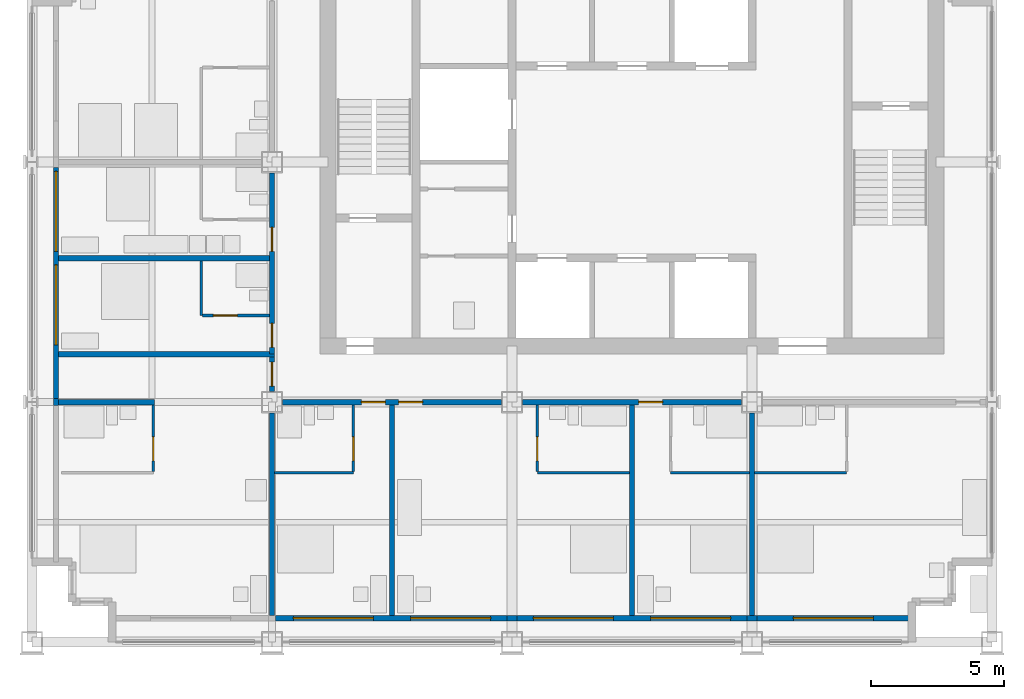
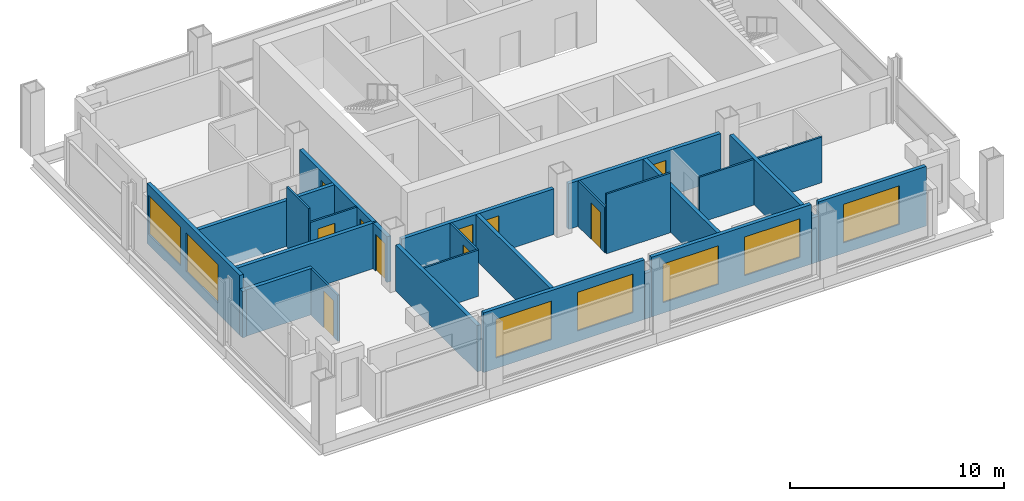
# One storey, part 6 of 12: 27 walls, 10 doors, 7 windows, 17 openings.
"""IFC4 building model written with IfcOpenShell, lengths in metres."""

from ifc_helpers import new_model, si_unit, direction, frame, frame_2d, origin, place, context, subcontext, project, spatial, rectangle, extrude, material, layer, layer_set, type_object, element, fill, save


model = new_model("IFC4")

# Units and contexts
model_context = context("Model", 3, precision=1e-05, world=origin(), true_north=direction((0.0, 1.0)))
body_context = subcontext(model_context, "Body", "Model", "MODEL_VIEW")
ifc_project = project(units=[si_unit("LENGTHUNIT", "METRE"), si_unit("AREAUNIT", "SQUARE_METRE"), si_unit("VOLUMEUNIT", "CUBIC_METRE"), si_unit("PLANEANGLEUNIT", "RADIAN"), si_unit("MASSUNIT", "GRAM", prefix="KILO")], contexts=[model_context])

# Site, building, storey
site_placement = place(None, origin())
site = spatial("IfcSite", under=ifc_project, at=site_placement, CompositionType="ELEMENT")
building_placement = place(site_placement, origin())
building = spatial("IfcBuilding", under=site, at=building_placement, Name="Loomwork Tower", CompositionType="ELEMENT")
storey_placement = place(building_placement, frame((0.0, 0.0, 233.800048828125)))
storey = spatial("IfcBuildingStorey", under=building, at=storey_placement, Name="L64", CompositionType="ELEMENT", Elevation=233.800048828125)

# Wall
ifc_material_1 = material(Name="Gypsum board on steel studs, one-hour", Category="steel")
ifc_layer_1 = layer(ifc_material_1, 0.199951171875)
ifc_layer_set_1 = layer_set([ifc_layer_1], Name="Corridor wall 200")
wall_type_1 = type_object("IfcWallType", Name="Corridor wall 200", PredefinedType="PARTITIONING", material=ifc_layer_set_1)
wall_1_placement = place(storey_placement, frame((1.0, 9.0, 0.0), z_axis=(0.0, 0.0, 1.0), x_axis=(1.0, 0.0, 0.0)))
element("IfcWall", 1, at=wall_1_placement, inside=storey, type_object=wall_type_1, Name="South corridor wall 1", PredefinedType="PARTITIONING", context=body_context, shape_type="SweptSolid", body=[
    extrude(rectangle(XDim=3.60009765625, YDim=0.199951171875, at=frame_2d((1.800048828125, 0.0))), origin(), (0.0, 0.0, 1.0), 2.637939453125),
])

# Wall, openings, doors
wall_2_placement = place(storey_placement, frame((9.39990234375, 9.0, 0.0), z_axis=(0.0, 0.0, 1.0), x_axis=(1.0, 0.0, 0.0)))
wall_2 = element("IfcWall", 2, at=wall_2_placement, inside=storey, type_object=wall_type_1, Name="South corridor wall 2", PredefinedType="PARTITIONING", context=body_context, shape_type="SweptSolid", body=[
    extrude(rectangle(XDim=8.2001953125, YDim=0.199951171875, at=frame_2d((4.10009765625, 0.0))), origin(), (0.0, 0.0, 1.0), 2.60498046875),
])
opening_1_placement = place(wall_2_placement, frame((2.949951171875, 0.0, 0.0)))
opening_1 = element("IfcOpeningElement", 3, at=opening_1_placement, cuts=wall_2, Name="Opening D1", PredefinedType="OPENING", context=body_context, shape_type="SweptSolid", body=[
    extrude(rectangle(XDim=0.89990234375, YDim=2.10009765625, at=frame_2d((0.449951171875, 1.050048828125))), frame((0.0, 0.10986328125, 0.0), z_axis=(0.0, -1.0, 0.0), x_axis=(1.0, 0.0, 0.0)), (0.0, 0.0, 1.0), 0.219970703125),
])
opening_2_placement = place(wall_2_placement, frame((4.35009765625, 0.0, 0.0)))
opening_2 = element("IfcOpeningElement", 4, at=opening_2_placement, cuts=wall_2, Name="Opening D1", PredefinedType="OPENING", context=body_context, shape_type="SweptSolid", body=[
    extrude(rectangle(XDim=0.89990234375, YDim=2.10009765625, at=frame_2d((0.449951171875, 1.050048828125))), frame((0.0, 0.10986328125, 0.0), z_axis=(0.0, -1.0, 0.0), x_axis=(1.0, 0.0, 0.0)), (0.0, 0.0, 1.0), 0.219970703125),
])
ifc_material_2 = material(Name="Hollow metal door and frame")
door_type_1 = type_object("IfcDoorType", Name="Guest room entry door 900", OperationType="SINGLE_SWING_LEFT", PredefinedType="DOOR", material=ifc_material_2)
door_1_placement = place(opening_1_placement, frame((0.89990234375, 0.0, 0.0), z_axis=(0.0, 0.0, 1.0), x_axis=(-1.0, 0.0, 0.0)))
door_1 = element("IfcDoor", 5, at=door_1_placement, inside=storey, type_object=door_type_1, Name="Guest room entry door L64 2", OperationType="SINGLE_SWING_LEFT", OverallHeight=2.10009765625, OverallWidth=0.89990234375, PredefinedType="DOOR", context=body_context, shape_type="SweptSolid", body=[
    extrude(rectangle(XDim=0.89990234375, YDim=2.10009765625, at=frame_2d((0.449951171875, 1.050048828125))), frame((0.0, 0.02490234375, 0.0), z_axis=(0.0, -1.0, 0.0), x_axis=(1.0, 0.0, 0.0)), (0.0, 0.0, 1.0), 0.050048828125),
])
fill(opening_1, door_1)
door_2_placement = place(opening_2_placement, frame((0.89990234375, 0.0, 0.0), z_axis=(0.0, 0.0, 1.0), x_axis=(-1.0, 0.0, 0.0)))
door_2 = element("IfcDoor", 6, at=door_2_placement, inside=storey, type_object=door_type_1, Name="Guest room entry door L64 3", OperationType="SINGLE_SWING_RIGHT", OverallHeight=2.10009765625, OverallWidth=0.89990234375, PredefinedType="DOOR", context=body_context, shape_type="SweptSolid", body=[
    extrude(rectangle(XDim=0.89990234375, YDim=2.10009765625, at=frame_2d((0.449951171875, 1.050048828125))), frame((0.0, 0.02490234375, 0.0), z_axis=(0.0, -1.0, 0.0), x_axis=(1.0, 0.0, 0.0)), (0.0, 0.0, 1.0), 0.050048828125),
])
fill(opening_2, door_2)

# Wall, opening, door
wall_3_placement = place(storey_placement, frame((18.39990234375, 9.0, 0.0), z_axis=(0.0, 0.0, 1.0), x_axis=(1.0, 0.0, 0.0)))
wall_3 = element("IfcWall", 7, at=wall_3_placement, inside=storey, type_object=wall_type_1, Name="South corridor wall 3", PredefinedType="PARTITIONING", context=body_context, shape_type="SweptSolid", body=[
    extrude(rectangle(XDim=8.2001953125, YDim=0.199951171875, at=frame_2d((4.10009765625, 0.0))), origin(), (0.0, 0.0, 1.0), 2.60498046875),
])
opening_3_placement = place(wall_3_placement, frame((4.35009765625, 0.0, 0.0)))
opening_3 = element("IfcOpeningElement", 8, at=opening_3_placement, cuts=wall_3, Name="Opening D1", PredefinedType="OPENING", context=body_context, shape_type="SweptSolid", body=[
    extrude(rectangle(XDim=0.89990234375, YDim=2.10009765625, at=frame_2d((0.449951171875, 1.050048828125))), frame((0.0, 0.10986328125, 0.0), z_axis=(0.0, -1.0, 0.0), x_axis=(1.0, 0.0, 0.0)), (0.0, 0.0, 1.0), 0.219970703125),
])
door_3_placement = place(opening_3_placement, frame((0.89990234375, 0.0, 0.0), z_axis=(0.0, 0.0, 1.0), x_axis=(-1.0, 0.0, 0.0)))
door_3 = element("IfcDoor", 9, at=door_3_placement, inside=storey, type_object=door_type_1, Name="Guest room entry door L64 4", OperationType="SINGLE_SWING_RIGHT", OverallHeight=2.10009765625, OverallWidth=0.89990234375, PredefinedType="DOOR", context=body_context, shape_type="SweptSolid", body=[
    extrude(rectangle(XDim=0.89990234375, YDim=2.10009765625, at=frame_2d((0.449951171875, 1.050048828125))), frame((0.0, 0.02490234375, 0.0), z_axis=(0.0, -1.0, 0.0), x_axis=(1.0, 0.0, 0.0)), (0.0, 0.0, 1.0), 0.050048828125),
])
fill(opening_3, door_3)

# Wall, openings, doors
wall_4_placement = place(storey_placement, frame((9.0, 10.800048828125, 0.0), z_axis=(0.0, 0.0, 1.0), x_axis=(0.0, 1.0, 0.0)))
wall_4 = element("IfcWall", 10, at=wall_4_placement, inside=storey, type_object=wall_type_1, Name="West corridor wall 1", PredefinedType="PARTITIONING", context=body_context, shape_type="SweptSolid", body=[
    extrude(rectangle(XDim=6.800048828125, YDim=0.199951171875, at=frame_2d((3.39990234375, 0.0))), origin(), (0.0, 0.0, 1.0), 2.60498046875),
])
opening_4_placement = place(wall_4_placement, frame((0.25, 0.0, 0.0)))
opening_4 = element("IfcOpeningElement", 11, at=opening_4_placement, cuts=wall_4, Name="Opening D1", PredefinedType="OPENING", context=body_context, shape_type="SweptSolid", body=[
    extrude(rectangle(XDim=0.89990234375, YDim=2.10009765625, at=frame_2d((0.449951171875, 1.050048828125))), frame((0.0, 0.10986328125, 0.0), z_axis=(0.0, -1.0, 0.0), x_axis=(1.0, 0.0, 0.0)), (0.0, 0.0, 1.0), 0.219970703125),
])
opening_5_placement = place(wall_4_placement, frame((3.85009765625, 0.0, 0.0)))
opening_5 = element("IfcOpeningElement", 12, at=opening_5_placement, cuts=wall_4, Name="Opening D1", PredefinedType="OPENING", context=body_context, shape_type="SweptSolid", body=[
    extrude(rectangle(XDim=0.89990234375, YDim=2.10009765625, at=frame_2d((0.449951171875, 1.050048828125))), frame((0.0, 0.10986328125, 0.0), z_axis=(0.0, -1.0, 0.0), x_axis=(1.0, 0.0, 0.0)), (0.0, 0.0, 1.0), 0.219970703125),
])
door_4_placement = place(opening_4_placement, origin())
door_4 = element("IfcDoor", 13, at=door_4_placement, inside=storey, type_object=door_type_1, Name="Guest room entry door L64 6", OperationType="SINGLE_SWING_LEFT", OverallHeight=2.10009765625, OverallWidth=0.89990234375, PredefinedType="DOOR", context=body_context, shape_type="SweptSolid", body=[
    extrude(rectangle(XDim=0.89990234375, YDim=2.10009765625, at=frame_2d((0.449951171875, 1.050048828125))), frame((0.0, 0.02490234375, 0.0), z_axis=(0.0, -1.0, 0.0), x_axis=(1.0, 0.0, 0.0)), (0.0, 0.0, 1.0), 0.050048828125),
])
fill(opening_4, door_4)
door_5_placement = place(opening_5_placement, origin())
door_5 = element("IfcDoor", 14, at=door_5_placement, inside=storey, type_object=door_type_1, Name="Guest room entry door L64 7", OperationType="SINGLE_SWING_LEFT", OverallHeight=2.10009765625, OverallWidth=0.89990234375, PredefinedType="DOOR", context=body_context, shape_type="SweptSolid", body=[
    extrude(rectangle(XDim=0.89990234375, YDim=2.10009765625, at=frame_2d((0.449951171875, 1.050048828125))), frame((0.0, 0.02490234375, 0.0), z_axis=(0.0, -1.0, 0.0), x_axis=(1.0, 0.0, 0.0)), (0.0, 0.0, 1.0), 0.050048828125),
])
fill(opening_5, door_5)

# Wall
wall_5_placement = place(storey_placement, frame((1.0, 10.800048828125, 0.0), z_axis=(0.0, 0.0, 1.0), x_axis=(1.0, 0.0, 0.0)))
element("IfcWall", 15, at=wall_5_placement, inside=storey, type_object=wall_type_1, Name="West band end wall S", PredefinedType="PARTITIONING", context=body_context, shape_type="SweptSolid", body=[
    extrude(rectangle(XDim=8.10009765625, YDim=0.199951171875, at=frame_2d((4.050048828125, 0.0))), origin(), (0.0, 0.0, 1.0), 2.60400390625),
])

# Wall, opening, door
wall_6_placement = place(storey_placement, frame((9.0, 9.39990234375, 0.0), z_axis=(0.0, 0.0, 1.0), x_axis=(0.0, 1.0, 0.0)))
wall_6 = element("IfcWall", 16, at=wall_6_placement, inside=storey, type_object=wall_type_1, Name="Corner suite foyer wall", PredefinedType="PARTITIONING", context=body_context, shape_type="SweptSolid", body=[
    extrude(rectangle(XDim=1.300048828125, YDim=0.199951171875, at=frame_2d((0.64990234375, 0.0))), origin(), (0.0, 0.0, 1.0), 2.60498046875),
])
opening_6_placement = place(wall_6_placement, frame((0.199951171875, 0.0, 0.0)))
opening_6 = element("IfcOpeningElement", 17, at=opening_6_placement, cuts=wall_6, Name="Opening D1", PredefinedType="OPENING", context=body_context, shape_type="SweptSolid", body=[
    extrude(rectangle(XDim=0.89990234375, YDim=2.10009765625, at=frame_2d((0.449951171875, 1.050048828125))), frame((0.0, 0.10986328125, 0.0), z_axis=(0.0, -1.0, 0.0), x_axis=(1.0, 0.0, 0.0)), (0.0, 0.0, 1.0), 0.219970703125),
])
door_6_placement = place(opening_6_placement, origin())
door_6 = element("IfcDoor", 18, at=door_6_placement, inside=storey, type_object=door_type_1, Name="Guest room entry door L64 1", OperationType="SINGLE_SWING_RIGHT", OverallHeight=2.10009765625, OverallWidth=0.89990234375, PredefinedType="DOOR", context=body_context, shape_type="SweptSolid", body=[
    extrude(rectangle(XDim=0.89990234375, YDim=2.10009765625, at=frame_2d((0.449951171875, 1.050048828125))), frame((0.0, 0.02490234375, 0.0), z_axis=(0.0, -1.0, 0.0), x_axis=(1.0, 0.0, 0.0)), (0.0, 0.0, 1.0), 0.050048828125),
])
fill(opening_6, door_6)

ifc_material_3 = material(Name="Cement board on steel studs", Category="steel")
ifc_layer_2 = layer(ifc_material_3, 0.10009765625)
ifc_layer_set_2 = layer_set([ifc_layer_2], Name="En-suite partition 100")
wall_type_2 = type_object("IfcWallType", Name="En-suite partition 100", PredefinedType="PARTITIONING", material=ifc_layer_set_2)
wall_7_placement = place(storey_placement, frame((4.550048828125, 8.89990234375, 0.0), z_axis=(0.0, 0.0, 1.0), x_axis=(0.0, -1.0, 0.0)))
wall_7 = element("IfcWall", 19, at=wall_7_placement, inside=storey, type_object=wall_type_2, Name="En-suite side wall L64 room 1", PredefinedType="PARTITIONING", context=body_context, shape_type="SweptSolid", body=[
    extrude(rectangle(XDim=2.5, YDim=0.10009765625, at=frame_2d((1.25, 0.0))), origin(), (0.0, 0.0, 1.0), 2.637939453125),
])
opening_7_placement = place(wall_7_placement, frame((1.199951171875, 0.0, 0.0)))
opening_7 = element("IfcOpeningElement", 20, at=opening_7_placement, cuts=wall_7, Name="Opening D3", PredefinedType="OPENING", context=body_context, shape_type="SweptSolid", body=[
    extrude(rectangle(XDim=0.89990234375, YDim=2.10009765625, at=frame_2d((0.449951171875, 1.050048828125))), frame((0.0, 0.06005859375, 0.0), z_axis=(0.0, -1.0, 0.0), x_axis=(1.0, 0.0, 0.0)), (0.0, 0.0, 1.0), 0.1201171875),
])
ifc_material_4 = material(Name="Hollow metal door and frame")
door_type_2 = type_object("IfcDoorType", Name="Accessible en-suite door 900", OperationType="SLIDING_TO_LEFT", PredefinedType="DOOR", material=ifc_material_4)
door_7_placement = place(opening_7_placement, origin())
door_7 = element("IfcDoor", 21, at=door_7_placement, inside=storey, type_object=door_type_2, Name="Accessible en-suite door room 1", OperationType="SLIDING_TO_LEFT", OverallHeight=2.10009765625, OverallWidth=0.89990234375, PredefinedType="DOOR", context=body_context, shape_type="SweptSolid", body=[
    extrude(rectangle(XDim=0.89990234375, YDim=2.10009765625, at=frame_2d((0.449951171875, 1.050048828125))), frame((0.0, 0.02490234375, 0.0), z_axis=(0.0, -1.0, 0.0), x_axis=(1.0, 0.0, 0.0)), (0.0, 0.0, 1.0), 0.050048828125),
])
fill(opening_7, door_7)

# Wall
wall_8_placement = place(storey_placement, frame((9.10009765625, 6.35009765625, 0.0), z_axis=(0.0, 0.0, 1.0), x_axis=(1.0, 0.0, 0.0)))
element("IfcWall", 22, at=wall_8_placement, inside=storey, type_object=wall_type_2, Name="En-suite wall L64 room 2", PredefinedType="PARTITIONING", context=body_context, shape_type="SweptSolid", body=[
    extrude(rectangle(XDim=2.949951171875, YDim=0.10009765625, at=frame_2d((1.47509765625, 0.0))), origin(), (0.0, 0.0, 1.0), 2.637939453125),
])

# Wall, opening, door
wall_9_placement = place(storey_placement, frame((12.050048828125, 8.89990234375, 0.0), z_axis=(0.0, 0.0, 1.0), x_axis=(0.0, -1.0, 0.0)))
wall_9 = element("IfcWall", 23, at=wall_9_placement, inside=storey, type_object=wall_type_2, Name="En-suite side wall L64 room 2", PredefinedType="PARTITIONING", context=body_context, shape_type="SweptSolid", body=[
    extrude(rectangle(XDim=2.5, YDim=0.10009765625, at=frame_2d((1.25, 0.0))), origin(), (0.0, 0.0, 1.0), 2.60400390625),
])
opening_8_placement = place(wall_9_placement, frame((1.199951171875, 0.0, 0.0)))
opening_8 = element("IfcOpeningElement", 24, at=opening_8_placement, cuts=wall_9, Name="Opening D2", PredefinedType="OPENING", context=body_context, shape_type="SweptSolid", body=[
    extrude(rectangle(XDim=0.89990234375, YDim=2.10009765625, at=frame_2d((0.449951171875, 1.050048828125))), frame((0.0, 0.06005859375, 0.0), z_axis=(0.0, -1.0, 0.0), x_axis=(1.0, 0.0, 0.0)), (0.0, 0.0, 1.0), 0.1201171875),
])
ifc_material_5 = material(Name="Hollow metal door and frame")
door_type_3 = type_object("IfcDoorType", Name="En-suite door 900", OperationType="SINGLE_SWING_LEFT", PredefinedType="DOOR", material=ifc_material_5)
door_8_placement = place(opening_8_placement, frame((0.89990234375, 0.0, 0.0), z_axis=(0.0, 0.0, 1.0), x_axis=(-1.0, 0.0, 0.0)))
door_8 = element("IfcDoor", 25, at=door_8_placement, inside=storey, type_object=door_type_3, Name="En-suite door room 2", OperationType="SINGLE_SWING_LEFT", OverallHeight=2.10009765625, OverallWidth=0.89990234375, PredefinedType="DOOR", context=body_context, shape_type="SweptSolid", body=[
    extrude(rectangle(XDim=0.89990234375, YDim=2.10009765625, at=frame_2d((0.449951171875, 1.050048828125))), frame((0.0, 0.02490234375, 0.0), z_axis=(0.0, -1.0, 0.0), x_axis=(1.0, 0.0, 0.0)), (0.0, 0.0, 1.0), 0.050048828125),
])
fill(opening_8, door_8)

# Wall
wall_10_placement = place(storey_placement, frame((18.949951171875, 6.35009765625, 0.0), z_axis=(0.0, 0.0, 1.0), x_axis=(1.0, 0.0, 0.0)))
element("IfcWall", 26, at=wall_10_placement, inside=storey, type_object=wall_type_2, Name="En-suite wall L64 room 3", PredefinedType="PARTITIONING", context=body_context, shape_type="SweptSolid", body=[
    extrude(rectangle(XDim=3.449951171875, YDim=0.10009765625, at=frame_2d((1.72509765625, 0.0))), origin(), (0.0, 0.0, 1.0), 3.39990234375),
])

# Wall, opening, door
wall_11_placement = place(storey_placement, frame((18.949951171875, 8.89990234375, 0.0), z_axis=(0.0, 0.0, 1.0), x_axis=(0.0, -1.0, 0.0)))
wall_11 = element("IfcWall", 27, at=wall_11_placement, inside=storey, type_object=wall_type_2, Name="En-suite side wall L64 room 3", PredefinedType="PARTITIONING", context=body_context, shape_type="SweptSolid", body=[
    extrude(rectangle(XDim=2.5, YDim=0.10009765625, at=frame_2d((1.25, 0.0))), origin(), (0.0, 0.0, 1.0), 2.60400390625),
])
opening_9_placement = place(wall_11_placement, frame((1.199951171875, 0.0, 0.0)))
opening_9 = element("IfcOpeningElement", 28, at=opening_9_placement, cuts=wall_11, Name="Opening D2", PredefinedType="OPENING", context=body_context, shape_type="SweptSolid", body=[
    extrude(rectangle(XDim=0.89990234375, YDim=2.10009765625, at=frame_2d((0.449951171875, 1.050048828125))), frame((0.0, 0.06005859375, 0.0), z_axis=(0.0, -1.0, 0.0), x_axis=(1.0, 0.0, 0.0)), (0.0, 0.0, 1.0), 0.1201171875),
])
door_9_placement = place(opening_9_placement, origin())
door_9 = element("IfcDoor", 29, at=door_9_placement, inside=storey, type_object=door_type_3, Name="En-suite door room 3", OperationType="SINGLE_SWING_RIGHT", OverallHeight=2.10009765625, OverallWidth=0.89990234375, PredefinedType="DOOR", context=body_context, shape_type="SweptSolid", body=[
    extrude(rectangle(XDim=0.89990234375, YDim=2.10009765625, at=frame_2d((0.449951171875, 1.050048828125))), frame((0.0, 0.02490234375, 0.0), z_axis=(0.0, -1.0, 0.0), x_axis=(1.0, 0.0, 0.0)), (0.0, 0.0, 1.0), 0.050048828125),
])
fill(opening_9, door_9)

# Walls
wall_12_placement = place(storey_placement, frame((23.949951171875, 6.35009765625, 0.0), z_axis=(0.0, 0.0, 1.0), x_axis=(1.0, 0.0, 0.0)))
element("IfcWall", 30, at=wall_12_placement, inside=storey, type_object=wall_type_2, Name="En-suite wall L64 room 4", PredefinedType="PARTITIONING", context=body_context, shape_type="SweptSolid", body=[
    extrude(rectangle(XDim=2.949951171875, YDim=0.10009765625, at=frame_2d((1.47509765625, 0.0))), origin(), (0.0, 0.0, 1.0), 2.60400390625),
])
wall_13_placement = place(storey_placement, frame((27.10009765625, 6.35009765625, 0.0), z_axis=(0.0, 0.0, 1.0), x_axis=(1.0, 0.0, 0.0)))
element("IfcWall", 31, at=wall_13_placement, inside=storey, type_object=wall_type_2, Name="En-suite wall L64 room 5", PredefinedType="PARTITIONING", context=body_context, shape_type="SweptSolid", body=[
    extrude(rectangle(XDim=3.449951171875, YDim=0.10009765625, at=frame_2d((1.72509765625, 0.0))), origin(), (0.0, 0.0, 1.0), 2.60400390625),
])
wall_14_placement = place(storey_placement, frame((6.35009765625, 12.25, 0.0), z_axis=(0.0, 0.0, 1.0), x_axis=(0.0, 1.0, 0.0)))
element("IfcWall", 32, at=wall_14_placement, inside=storey, type_object=wall_type_2, Name="En-suite wall L64 room 6", PredefinedType="PARTITIONING", context=body_context, shape_type="SweptSolid", body=[
    extrude(rectangle(XDim=2.050048828125, YDim=0.10009765625, at=frame_2d((1.02490234375, 0.0))), origin(), (0.0, 0.0, 1.0), 3.39990234375),
])

# Wall, opening, door
wall_15_placement = place(storey_placement, frame((8.89990234375, 12.25, 0.0), z_axis=(0.0, 0.0, 1.0), x_axis=(-1.0, 0.0, 0.0)))
wall_15 = element("IfcWall", 33, at=wall_15_placement, inside=storey, type_object=wall_type_2, Name="En-suite side wall L64 room 6", PredefinedType="PARTITIONING", context=body_context, shape_type="SweptSolid", body=[
    extrude(rectangle(XDim=2.5, YDim=0.10009765625, at=frame_2d((1.25, 0.0))), origin(), (0.0, 0.0, 1.0), 2.60400390625),
])
opening_10_placement = place(wall_15_placement, frame((1.199951171875, 0.0, 0.0)))
opening_10 = element("IfcOpeningElement", 34, at=opening_10_placement, cuts=wall_15, Name="Opening D2", PredefinedType="OPENING", context=body_context, shape_type="SweptSolid", body=[
    extrude(rectangle(XDim=0.89990234375, YDim=2.10009765625, at=frame_2d((0.449951171875, 1.050048828125))), frame((0.0, 0.06005859375, 0.0), z_axis=(0.0, -1.0, 0.0), x_axis=(1.0, 0.0, 0.0)), (0.0, 0.0, 1.0), 0.1201171875),
])
door_10_placement = place(opening_10_placement, frame((0.89990234375, 0.0, 0.0), z_axis=(0.0, 0.0, 1.0), x_axis=(-1.0, 0.0, 0.0)))
door_10 = element("IfcDoor", 35, at=door_10_placement, inside=storey, type_object=door_type_3, Name="En-suite door room 6", OperationType="SINGLE_SWING_LEFT", OverallHeight=2.10009765625, OverallWidth=0.89990234375, PredefinedType="DOOR", context=body_context, shape_type="SweptSolid", body=[
    extrude(rectangle(XDim=0.89990234375, YDim=2.10009765625, at=frame_2d((0.449951171875, 1.050048828125))), frame((0.0, 0.02490234375, 0.0), z_axis=(0.0, -1.0, 0.0), x_axis=(1.0, 0.0, 0.0)), (0.0, 0.0, 1.0), 0.050048828125),
])
fill(opening_10, door_10)

# Walls
ifc_material_6 = material(Name="Gypsum board on steel studs, acoustic", Category="steel")
ifc_layer_3 = layer(ifc_material_6, 0.199951171875)
ifc_layer_set_3 = layer_set([ifc_layer_3], Name="Guest room party wall 200")
wall_type_3 = type_object("IfcWallType", Name="Guest room party wall 200", PredefinedType="PARTITIONING", material=ifc_layer_set_3)
wall_16_placement = place(storey_placement, frame((9.0, 8.60009765625, 0.0), z_axis=(0.0, 0.0, 1.0), x_axis=(0.0, -1.0, 0.0)))
element("IfcWall", 36, at=wall_16_placement, inside=storey, type_object=wall_type_3, Name="Guest room party wall S 9", PredefinedType="PARTITIONING", context=body_context, shape_type="SweptSolid", body=[
    extrude(rectangle(XDim=7.60009765625, YDim=0.199951171875, at=frame_2d((3.800048828125, 0.0))), origin(), (0.0, 0.0, 1.0), 2.637939453125),
])
for number, where, z_axis, x_axis, name in (
    (37, (13.5, 8.89990234375, 0.0), (0.0, 0.0, 1.0), (0.0, -1.0, 0.0), "Guest room party wall S 13.5"),
    (38, (22.5, 8.89990234375, 0.0), (0.0, 0.0, 1.0), (0.0, -1.0, 0.0), "Guest room party wall S 22.5"),
):
    element("IfcWall", number, at=place(storey_placement, frame(where, z_axis=z_axis, x_axis=x_axis)), inside=storey, type_object=wall_type_3, Name=name, PredefinedType="PARTITIONING", context=body_context, shape_type="SweptSolid", body=[
        extrude(rectangle(XDim=7.89990234375, YDim=0.199951171875, at=frame_2d((3.949951171875, 0.0))), origin(), (0.0, 0.0, 1.0), 2.60400390625),
    ])
wall_17_placement = place(storey_placement, frame((27.0, 8.60009765625, 0.0), z_axis=(0.0, 0.0, 1.0), x_axis=(0.0, -1.0, 0.0)))
element("IfcWall", 39, at=wall_17_placement, inside=storey, type_object=wall_type_3, Name="Guest room party wall S 27", PredefinedType="PARTITIONING", context=body_context, shape_type="SweptSolid", body=[
    extrude(rectangle(XDim=7.60009765625, YDim=0.199951171875, at=frame_2d((3.800048828125, 0.0))), origin(), (0.0, 0.0, 1.0), 2.60498046875),
])
wall_18_placement = place(storey_placement, frame((8.89990234375, 14.39990234375, 0.0), z_axis=(0.0, 0.0, 1.0), x_axis=(-1.0, 0.0, 0.0)))
element("IfcWall", 40, at=wall_18_placement, inside=storey, type_object=wall_type_3, Name="Guest room party wall W 14.4", PredefinedType="PARTITIONING", context=body_context, shape_type="SweptSolid", body=[
    extrude(rectangle(XDim=7.89990234375, YDim=0.199951171875, at=frame_2d((3.949951171875, 0.0))), origin(), (0.0, 0.0, 1.0), 2.60400390625),
])

# Wall, openings, windows
ifc_material_7 = material(Name="Insulated steel stud wall with gypsum lining", Category="steel")
ifc_layer_4 = layer(ifc_material_7, 0.199951171875)
ifc_layer_set_4 = layer_set([ifc_layer_4], Name="Inner skin wall 200")
wall_type_4 = type_object("IfcWallType", Name="Inner skin wall 200", PredefinedType="SOLIDWALL", material=ifc_layer_set_4)
wall_19_placement = place(storey_placement, frame((9.13525390625, 0.89990234375, 0.0), z_axis=(0.0, 0.0, 1.0), x_axis=(1.0, 0.0, 0.0)))
wall_19 = element("IfcWall", 41, at=wall_19_placement, inside=storey, type_object=wall_type_4, Name="Inner skin wall S bay 3", PredefinedType="SOLIDWALL", context=body_context, shape_type="SweptSolid", body=[
    extrude(rectangle(XDim=8.6708984375, YDim=0.199951171875, at=frame_2d((4.33544921875, 0.0))), origin(), (0.0, 0.0, 1.0), 3.39990234375),
])
opening_11_placement = place(wall_19_placement, frame((0.664794921875, 0.0, 0.60009765625)))
opening_11 = element("IfcOpeningElement", 42, at=opening_11_placement, cuts=wall_19, Name="Opening CH1", PredefinedType="OPENING", context=body_context, shape_type="SweptSolid", body=[
    extrude(rectangle(XDim=3.0, YDim=2.199951171875, at=frame_2d((1.5, 1.10009765625))), frame((0.0, 0.10986328125, 0.0), z_axis=(0.0, -1.0, 0.0), x_axis=(1.0, 0.0, 0.0)), (0.0, 0.0, 1.0), 0.219970703125),
])
opening_12_placement = place(wall_19_placement, frame((5.064697265625, 0.0, 0.60009765625)))
opening_12 = element("IfcOpeningElement", 43, at=opening_12_placement, cuts=wall_19, Name="Opening CH1", PredefinedType="OPENING", context=body_context, shape_type="SweptSolid", body=[
    extrude(rectangle(XDim=3.0, YDim=2.199951171875, at=frame_2d((1.5, 1.10009765625))), frame((0.0, 0.10986328125, 0.0), z_axis=(0.0, -1.0, 0.0), x_axis=(1.0, 0.0, 0.0)), (0.0, 0.0, 1.0), 0.219970703125),
])
ifc_material_8 = material(Name="Aluminium frame with clear insulated glass", Category="aluminium")
window_type = type_object("IfcWindowType", Name="Chicago window 3000", PartitioningType="TRIPLE_PANEL_VERTICAL", PredefinedType="WINDOW", material=ifc_material_8)
window_1_placement = place(opening_11_placement, origin())
window_1 = element("IfcWindow", 44, at=window_1_placement, inside=storey, type_object=window_type, Name="Chicago window L64 bay 2", OverallHeight=2.199951171875, OverallWidth=3.0, PartitioningType="TRIPLE_PANEL_VERTICAL", PredefinedType="WINDOW", context=body_context, shape_type="SweptSolid", body=[
    extrude(rectangle(XDim=3.0, YDim=2.199951171875, at=frame_2d((1.5, 1.10009765625))), frame((0.0, 0.030029296875, 0.0), z_axis=(0.0, -1.0, 0.0), x_axis=(1.0, 0.0, 0.0)), (0.0, 0.0, 1.0), 0.06005859375),
])
fill(opening_11, window_1)
window_2_placement = place(opening_12_placement, origin())
window_2 = element("IfcWindow", 45, at=window_2_placement, inside=storey, type_object=window_type, Name="Chicago window L64 bay 2", OverallHeight=2.199951171875, OverallWidth=3.0, PartitioningType="TRIPLE_PANEL_VERTICAL", PredefinedType="WINDOW", context=body_context, shape_type="SweptSolid", body=[
    extrude(rectangle(XDim=3.0, YDim=2.199951171875, at=frame_2d((1.5, 1.10009765625))), frame((0.0, 0.030029296875, 0.0), z_axis=(0.0, -1.0, 0.0), x_axis=(1.0, 0.0, 0.0)), (0.0, 0.0, 1.0), 0.06005859375),
])
fill(opening_12, window_2)

# Wall
wall_20_placement = place(storey_placement, frame((17.80615234375, 0.89990234375, 0.0), z_axis=(0.0, 0.0, 1.0), x_axis=(1.0, 0.0, 0.0)))
element("IfcWall", 46, at=wall_20_placement, inside=storey, type_object=wall_type_4, Name="Inner skin wall S bay 4", PredefinedType="SOLIDWALL", context=body_context, shape_type="SweptSolid", body=[
    extrude(rectangle(XDim=0.3876953125, YDim=0.199951171875, at=frame_2d((0.19384765625, 0.0))), origin(), (0.0, 0.0, 1.0), 2.60400390625),
])

# Wall, openings, windows
wall_21_placement = place(storey_placement, frame((18.19384765625, 0.89990234375, 0.0), z_axis=(0.0, 0.0, 1.0), x_axis=(1.0, 0.0, 0.0)))
wall_21 = element("IfcWall", 47, at=wall_21_placement, inside=storey, type_object=wall_type_4, Name="Inner skin wall S bay 5", PredefinedType="SOLIDWALL", context=body_context, shape_type="SweptSolid", body=[
    extrude(rectangle(XDim=8.6123046875, YDim=0.199951171875, at=frame_2d((4.30615234375, 0.0))), origin(), (0.0, 0.0, 1.0), 3.39990234375),
])
opening_13_placement = place(wall_21_placement, frame((0.606201171875, 0.0, 0.60009765625)))
opening_13 = element("IfcOpeningElement", 48, at=opening_13_placement, cuts=wall_21, Name="Opening CH1", PredefinedType="OPENING", context=body_context, shape_type="SweptSolid", body=[
    extrude(rectangle(XDim=3.0, YDim=2.199951171875, at=frame_2d((1.5, 1.10009765625))), frame((0.0, 0.10986328125, 0.0), z_axis=(0.0, -1.0, 0.0), x_axis=(1.0, 0.0, 0.0)), (0.0, 0.0, 1.0), 0.219970703125),
])
opening_14_placement = place(wall_21_placement, frame((5.006103515625, 0.0, 0.60009765625)))
opening_14 = element("IfcOpeningElement", 49, at=opening_14_placement, cuts=wall_21, Name="Opening CH1", PredefinedType="OPENING", context=body_context, shape_type="SweptSolid", body=[
    extrude(rectangle(XDim=3.0, YDim=2.199951171875, at=frame_2d((1.5, 1.10009765625))), frame((0.0, 0.10986328125, 0.0), z_axis=(0.0, -1.0, 0.0), x_axis=(1.0, 0.0, 0.0)), (0.0, 0.0, 1.0), 0.219970703125),
])
window_3_placement = place(opening_13_placement, origin())
window_3 = element("IfcWindow", 50, at=window_3_placement, inside=storey, type_object=window_type, Name="Chicago window L64 bay 3", OverallHeight=2.199951171875, OverallWidth=3.0, PartitioningType="TRIPLE_PANEL_VERTICAL", PredefinedType="WINDOW", context=body_context, shape_type="SweptSolid", body=[
    extrude(rectangle(XDim=3.0, YDim=2.199951171875, at=frame_2d((1.5, 1.10009765625))), frame((0.0, 0.030029296875, 0.0), z_axis=(0.0, -1.0, 0.0), x_axis=(1.0, 0.0, 0.0)), (0.0, 0.0, 1.0), 0.06005859375),
])
fill(opening_13, window_3)
window_4_placement = place(opening_14_placement, origin())
window_4 = element("IfcWindow", 51, at=window_4_placement, inside=storey, type_object=window_type, Name="Chicago window L64 bay 3", OverallHeight=2.199951171875, OverallWidth=3.0, PartitioningType="TRIPLE_PANEL_VERTICAL", PredefinedType="WINDOW", context=body_context, shape_type="SweptSolid", body=[
    extrude(rectangle(XDim=3.0, YDim=2.199951171875, at=frame_2d((1.5, 1.10009765625))), frame((0.0, 0.030029296875, 0.0), z_axis=(0.0, -1.0, 0.0), x_axis=(1.0, 0.0, 0.0)), (0.0, 0.0, 1.0), 0.06005859375),
])
fill(opening_14, window_4)

# Wall
wall_22_placement = place(storey_placement, frame((26.80615234375, 0.89990234375, 0.0), z_axis=(0.0, 0.0, 1.0), x_axis=(1.0, 0.0, 0.0)))
element("IfcWall", 52, at=wall_22_placement, inside=storey, type_object=wall_type_4, Name="Inner skin wall S bay 6", PredefinedType="SOLIDWALL", context=body_context, shape_type="SweptSolid", body=[
    extrude(rectangle(XDim=0.3876953125, YDim=0.199951171875, at=frame_2d((0.19384765625, 0.0))), origin(), (0.0, 0.0, 1.0), 2.60400390625),
])

# Wall, opening, window
wall_23_placement = place(storey_placement, frame((27.19384765625, 0.89990234375, 0.0), z_axis=(0.0, 0.0, 1.0), x_axis=(1.0, 0.0, 0.0)))
wall_23 = element("IfcWall", 53, at=wall_23_placement, inside=storey, type_object=wall_type_4, Name="Inner skin wall S bay 7", PredefinedType="SOLIDWALL", context=body_context, shape_type="SweptSolid", body=[
    extrude(rectangle(XDim=5.80615234375, YDim=0.199951171875, at=frame_2d((2.903076171875, 0.0))), origin(), (0.0, 0.0, 1.0), 3.39990234375),
])
opening_15_placement = place(wall_23_placement, frame((1.356201171875, 0.0, 0.60009765625)))
opening_15 = element("IfcOpeningElement", 54, at=opening_15_placement, cuts=wall_23, Name="Opening CH1", PredefinedType="OPENING", context=body_context, shape_type="SweptSolid", body=[
    extrude(rectangle(XDim=3.0, YDim=2.199951171875, at=frame_2d((1.5, 1.10009765625))), frame((0.0, 0.10986328125, 0.0), z_axis=(0.0, -1.0, 0.0), x_axis=(1.0, 0.0, 0.0)), (0.0, 0.0, 1.0), 0.219970703125),
])
window_5_placement = place(opening_15_placement, origin())
window_5 = element("IfcWindow", 55, at=window_5_placement, inside=storey, type_object=window_type, Name="Chicago window L64 bay 4", OverallHeight=2.199951171875, OverallWidth=3.0, PartitioningType="TRIPLE_PANEL_VERTICAL", PredefinedType="WINDOW", context=body_context, shape_type="SweptSolid", body=[
    extrude(rectangle(XDim=3.0, YDim=2.199951171875, at=frame_2d((1.5, 1.10009765625))), frame((0.0, 0.030029296875, 0.0), z_axis=(0.0, -1.0, 0.0), x_axis=(1.0, 0.0, 0.0)), (0.0, 0.0, 1.0), 0.06005859375),
])
fill(opening_15, window_5)

# Wall
wall_24_placement = place(storey_placement, frame((0.89990234375, 8.86474609375, 0.0), z_axis=(0.0, 0.0, 1.0), x_axis=(0.0, 1.0, 0.0)))
element("IfcWall", 56, at=wall_24_placement, inside=storey, type_object=wall_type_4, Name="Inner skin wall W bay 4", PredefinedType="SOLIDWALL", context=body_context, shape_type="SweptSolid", body=[
    extrude(rectangle(XDim=0.2705078125, YDim=0.199951171875, at=frame_2d((0.13525390625, 0.0))), origin(), (0.0, 0.0, 1.0), 2.637939453125),
])

# Wall, openings, windows
wall_25_placement = place(storey_placement, frame((0.89990234375, 9.13525390625, 0.0), z_axis=(0.0, 0.0, 1.0), x_axis=(0.0, 1.0, 0.0)))
wall_25 = element("IfcWall", 57, at=wall_25_placement, inside=storey, type_object=wall_type_4, Name="Inner skin wall W bay 5", PredefinedType="SOLIDWALL", context=body_context, shape_type="SweptSolid", body=[
    extrude(rectangle(XDim=8.6708984375, YDim=0.199951171875, at=frame_2d((4.33544921875, 0.0))), origin(), (0.0, 0.0, 1.0), 3.39990234375),
])
opening_16_placement = place(wall_25_placement, frame((2.0146484375, 0.0, 0.60009765625)))
opening_16 = element("IfcOpeningElement", 58, at=opening_16_placement, cuts=wall_25, Name="Opening CH1", PredefinedType="OPENING", context=body_context, shape_type="SweptSolid", body=[
    extrude(rectangle(XDim=3.0, YDim=2.199951171875, at=frame_2d((1.5, 1.10009765625))), frame((0.0, 0.10986328125, 0.0), z_axis=(0.0, -1.0, 0.0), x_axis=(1.0, 0.0, 0.0)), (0.0, 0.0, 1.0), 0.219970703125),
])
opening_17_placement = place(wall_25_placement, frame((5.5146484375, 0.0, 0.60009765625)))
opening_17 = element("IfcOpeningElement", 59, at=opening_17_placement, cuts=wall_25, Name="Opening CH1", PredefinedType="OPENING", context=body_context, shape_type="SweptSolid", body=[
    extrude(rectangle(XDim=3.0, YDim=2.199951171875, at=frame_2d((1.5, 1.10009765625))), frame((0.0, 0.10986328125, 0.0), z_axis=(0.0, -1.0, 0.0), x_axis=(1.0, 0.0, 0.0)), (0.0, 0.0, 1.0), 0.219970703125),
])
window_6_placement = place(opening_16_placement, origin())
window_6 = element("IfcWindow", 60, at=window_6_placement, inside=storey, type_object=window_type, Name="Chicago window L64 bay 5", OverallHeight=2.199951171875, OverallWidth=3.0, PartitioningType="TRIPLE_PANEL_VERTICAL", PredefinedType="WINDOW", context=body_context, shape_type="SweptSolid", body=[
    extrude(rectangle(XDim=3.0, YDim=2.199951171875, at=frame_2d((1.5, 1.10009765625))), frame((0.0, 0.030029296875, 0.0), z_axis=(0.0, -1.0, 0.0), x_axis=(1.0, 0.0, 0.0)), (0.0, 0.0, 1.0), 0.06005859375),
])
fill(opening_16, window_6)
window_7_placement = place(opening_17_placement, origin())
window_7 = element("IfcWindow", 61, at=window_7_placement, inside=storey, type_object=window_type, Name="Chicago window L64 bay 5", OverallHeight=2.199951171875, OverallWidth=3.0, PartitioningType="TRIPLE_PANEL_VERTICAL", PredefinedType="WINDOW", context=body_context, shape_type="SweptSolid", body=[
    extrude(rectangle(XDim=3.0, YDim=2.199951171875, at=frame_2d((1.5, 1.10009765625))), frame((0.0, 0.030029296875, 0.0), z_axis=(0.0, -1.0, 0.0), x_axis=(1.0, 0.0, 0.0)), (0.0, 0.0, 1.0), 0.06005859375),
])
fill(opening_17, window_7)

save(model, "model.ifc")
